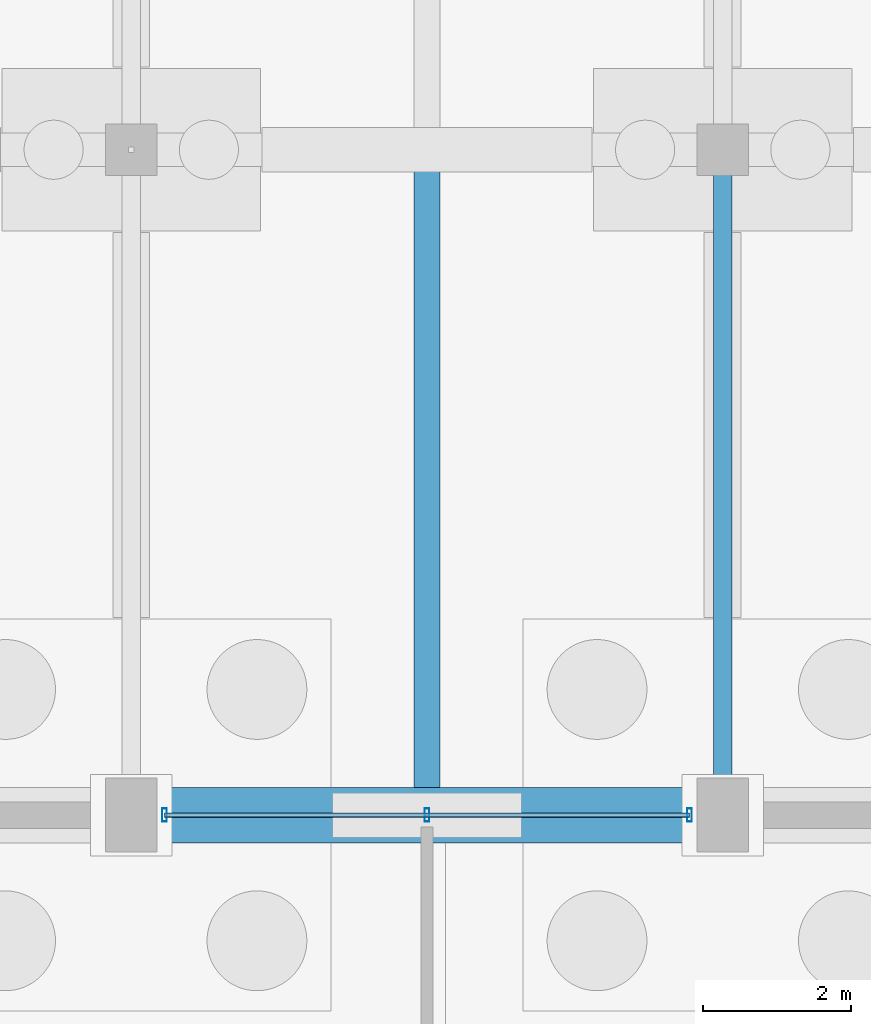
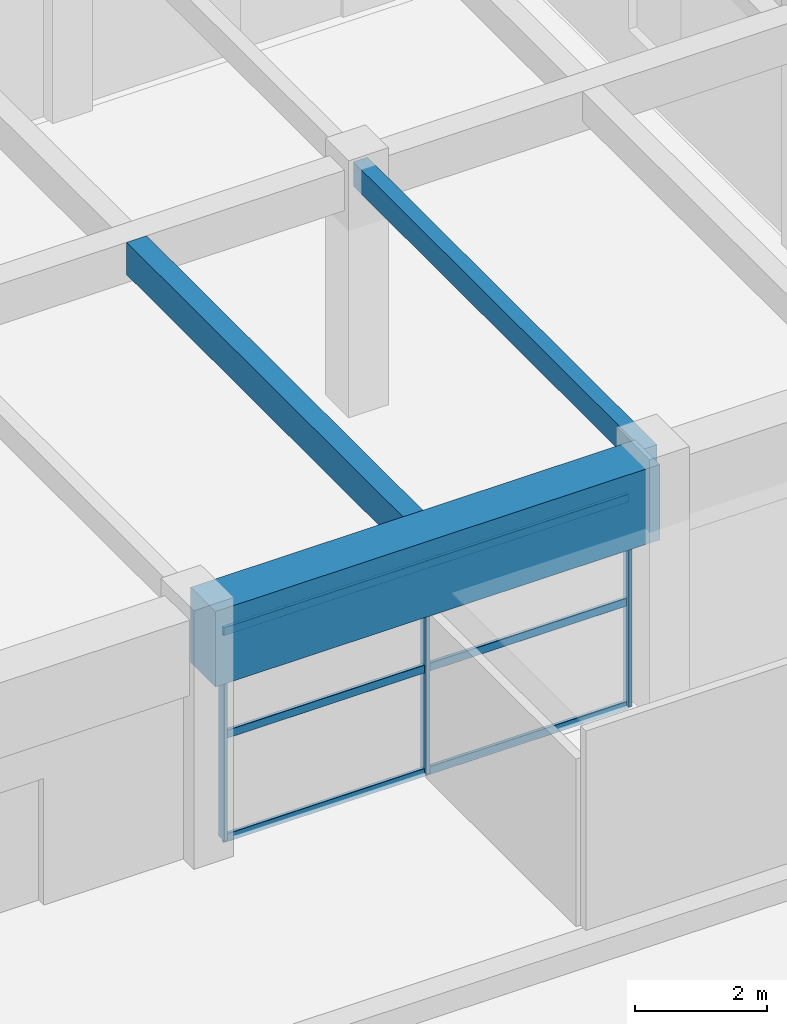
# One storey, part 89 of 147: 6 members, 3 beams, 1 element without a shape of its own.
"""IFC4 building model written with IfcOpenShell, lengths in metres."""

from ifc_helpers import new_model, si_unit, direction, frame, origin, origin_2d, place, context, subcontext, project, spatial, rectangle, hollow_rectangle, extrude, material, material_profile, profile_set, type_object, element, aggregate, save


model = new_model("IFC4")

# Units and contexts
model_context = context("Model", 3, precision=1e-05, world=origin(), true_north=direction((0.0, 1.0)))
body_context = subcontext(model_context, "Body", "Model", "MODEL_VIEW")
ifc_project = project(units=[si_unit("LENGTHUNIT", "METRE"), si_unit("AREAUNIT", "SQUARE_METRE"), si_unit("VOLUMEUNIT", "CUBIC_METRE"), si_unit("PLANEANGLEUNIT", "RADIAN"), si_unit("MASSUNIT", "GRAM", prefix="KILO")], contexts=[model_context])

# Site, building, storey
site_placement = place(None, origin())
site = spatial("IfcSite", under=ifc_project, at=site_placement, CompositionType="ELEMENT")
building_placement = place(site_placement, origin())
building = spatial("IfcBuilding", under=site, at=building_placement, Name="Varnabhumi Central Station", CompositionType="ELEMENT")
storey_placement = place(building_placement, origin())
storey = spatial("IfcBuildingStorey", under=building, at=storey_placement, Name="L00", CompositionType="ELEMENT", Elevation=0.0)

# Beams
ifc_material_1 = material(Name="Concrete M50", Category="concrete")
ifc_material_profile_1 = material_profile(ifc_material_1, rectangle(XDim=0.75, YDim=1.39990234375, at=origin_2d()), Name="Concrete M50", Category="concrete")
ifc_profile_set_1 = profile_set([ifc_material_profile_1], Name="Concrete M50")
beam_type_1 = type_object("IfcBeamType", Name="BM-RC-1400x750", PredefinedType="BEAM", material=ifc_profile_set_1)
beam_1_placement = place(storey_placement, frame((144.10009765625, 80.0, 3.85009765625), z_axis=(1.0, 0.0, 0.0), x_axis=(0.0, 1.0, 0.0)))
element("IfcBeam", 1, at=beam_1_placement, inside=storey, type_object=beam_type_1, Name="Beam L00-K:19-20", PredefinedType="BEAM", context=body_context, shape_type="SweptSolid", body=[
    extrude(rectangle(XDim=0.75, YDim=1.39990234375, at=origin_2d()), origin(), (0.0, 0.0, 1.0), 7.7998046875),
])
ifc_material_2 = material(Name="Concrete M35", Category="concrete")
ifc_material_profile_2 = material_profile(ifc_material_2, rectangle(XDim=0.25, YDim=0.449951171875, at=origin_2d()), Name="Concrete M35", Category="concrete")
ifc_profile_set_2 = profile_set([ifc_material_profile_2], Name="Concrete M35")
beam_type_2 = type_object("IfcBeamType", Name="BM-RC-250x450", PredefinedType="LINTEL", material=ifc_profile_set_2)
beam_2_placement = place(storey_placement, frame((152.0, 80.10009765625, 4.324951171875), z_axis=(0.0, 1.0, 0.0), x_axis=(-1.0, 0.0, 0.0)))
element("IfcBeam", 2, at=beam_2_placement, inside=storey, type_object=beam_type_2, Name="Beam L00-20:K-L", PredefinedType="LINTEL", context=body_context, shape_type="SweptSolid", body=[
    extrude(rectangle(XDim=0.25, YDim=0.449951171875, at=origin_2d()), origin(), (0.0, 0.0, 1.0), 8.7998046875),
])
ifc_material_3 = material(Name="Concrete M40", Category="concrete")
ifc_material_profile_3 = material_profile(ifc_material_3, rectangle(XDim=0.35009765625, YDim=0.60009765625, at=origin_2d()), Name="Concrete M40", Category="concrete")
ifc_profile_set_3 = profile_set([ifc_material_profile_3], Name="Concrete M40")
beam_type_3 = type_object("IfcBeamType", Name="BM-RC-600x350", PredefinedType="JOIST", material=ifc_profile_set_3)
beam_3_placement = place(storey_placement, frame((148.0, 80.375, 4.25), z_axis=(0.0, 1.0, 0.0), x_axis=(-1.0, 0.0, 0.0)))
element("IfcBeam", 3, at=beam_3_placement, inside=storey, type_object=beam_type_3, Name="Secondary Joist L00-19/20:K-L", PredefinedType="JOIST", context=body_context, shape_type="SweptSolid", body=[
    extrude(rectangle(XDim=0.35009765625, YDim=0.60009765625, at=origin_2d()), origin(), (0.0, 0.0, 1.0), 8.39990234375),
])

# Curtain wall, members
ifc_material_4 = material(Name="Anodised aluminium 6063-T6", Category="aluminium")
curtain_wall_type = type_object("IfcCurtainWallType", Name="CW-SPINE-SCREEN-L0", PredefinedType="NOTDEFINED", material=ifc_material_4)
curtain_wall_placement = place(storey_placement, origin())
curtain_wall = element("IfcCurtainWall", 4, at=curtain_wall_placement, inside=storey, type_object=curtain_wall_type, Name="Curtain Wall CW-NS018", PredefinedType="NOTDEFINED")
ifc_material_profile_4 = material_profile(ifc_material_4, hollow_rectangle(XDim=0.06494140625, YDim=0.179931640625, WallThickness=0.00390625, InnerFilletRadius=0.001953125, OuterFilletRadius=0.006103515625, at=origin_2d()), Name="Anodised aluminium 6063-T6", Category="aluminium")
ifc_profile_set_4 = profile_set([ifc_material_profile_4], Name="Anodised aluminium 6063-T6")
member_type_1 = type_object("IfcMemberType", Name="CW-MUL-180", PredefinedType="MULLION", material=ifc_profile_set_4)
member_1_placement = place(storey_placement, frame((144.449951171875, 80.0, 0.0), z_axis=(0.0, 0.0, 1.0), x_axis=(1.0, 0.0, 0.0)))
member_1 = element("IfcMember", 5, at=member_1_placement, type_object=member_type_1, Name="Curtain Wall Mullion CW-NS018-M1", PredefinedType="MULLION", context=body_context, shape_type="SweptSolid", body=[
    extrude(hollow_rectangle(XDim=0.06494140625, YDim=0.179931640625, WallThickness=0.00390625, InnerFilletRadius=0.001953125, OuterFilletRadius=0.006103515625, at=origin_2d()), origin(), (0.0, 0.0, 1.0), 3.840087890625),
])
member_2_placement = place(storey_placement, frame((148.0, 80.0, 0.0), z_axis=(0.0, 0.0, 1.0), x_axis=(1.0, 0.0, 0.0)))
member_2 = element("IfcMember", 6, at=member_2_placement, type_object=member_type_1, Name="Curtain Wall Mullion CW-NS018-M2", PredefinedType="MULLION", context=body_context, shape_type="SweptSolid", body=[
    extrude(hollow_rectangle(XDim=0.06494140625, YDim=0.179931640625, WallThickness=0.00390625, InnerFilletRadius=0.001953125, OuterFilletRadius=0.006103515625, at=origin_2d()), origin(), (0.0, 0.0, 1.0), 3.840087890625),
])
member_3_placement = place(storey_placement, frame((151.550048828125, 80.0, 0.0), z_axis=(0.0, 0.0, 1.0), x_axis=(1.0, 0.0, 0.0)))
member_3 = element("IfcMember", 7, at=member_3_placement, type_object=member_type_1, Name="Curtain Wall Mullion CW-NS018-M3", PredefinedType="MULLION", context=body_context, shape_type="SweptSolid", body=[
    extrude(hollow_rectangle(XDim=0.06494140625, YDim=0.179931640625, WallThickness=0.00390625, InnerFilletRadius=0.001953125, OuterFilletRadius=0.006103515625, at=origin_2d()), origin(), (0.0, 0.0, 1.0), 3.840087890625),
])
ifc_material_profile_5 = material_profile(ifc_material_4, hollow_rectangle(XDim=0.06005859375, YDim=0.14990234375, WallThickness=0.00390625, InnerFilletRadius=0.001953125, OuterFilletRadius=0.006103515625, at=origin_2d()), Name="Anodised aluminium 6063-T6", Category="aluminium")
ifc_profile_set_5 = profile_set([ifc_material_profile_5], Name="Anodised aluminium 6063-T6")
member_type_2 = type_object("IfcMemberType", Name="CW-TR-150", PredefinedType="USERDEFINED", material=ifc_profile_set_5)
member_4_placement = place(storey_placement, frame((144.449951171875, 80.0, 0.0), z_axis=(1.0, 0.0, 0.0), x_axis=(0.0, 1.0, 0.0)))
member_4 = element("IfcMember", 8, at=member_4_placement, type_object=member_type_2, Name="Curtain Wall Transom CW-NS018-T1", ObjectType="TRANSOM", PredefinedType="USERDEFINED", context=body_context, shape_type="SweptSolid", body=[
    extrude(hollow_rectangle(XDim=0.06005859375, YDim=0.14990234375, WallThickness=0.00390625, InnerFilletRadius=0.001953125, OuterFilletRadius=0.006103515625, at=origin_2d()), origin(), (0.0, 0.0, 1.0), 7.10009765625),
])
member_5_placement = place(storey_placement, frame((144.449951171875, 80.0, 1.919921875), z_axis=(1.0, 0.0, 0.0), x_axis=(0.0, 1.0, 0.0)))
member_5 = element("IfcMember", 9, at=member_5_placement, type_object=member_type_2, Name="Curtain Wall Transom CW-NS018-T2", ObjectType="TRANSOM", PredefinedType="USERDEFINED", context=body_context, shape_type="SweptSolid", body=[
    extrude(hollow_rectangle(XDim=0.06005859375, YDim=0.14990234375, WallThickness=0.00390625, InnerFilletRadius=0.001953125, OuterFilletRadius=0.006103515625, at=origin_2d()), origin(), (0.0, 0.0, 1.0), 7.10009765625),
])
member_6_placement = place(storey_placement, frame((144.449951171875, 80.0, 3.840087890625), z_axis=(1.0, 0.0, 0.0), x_axis=(0.0, 1.0, 0.0)))
member_6 = element("IfcMember", 10, at=member_6_placement, type_object=member_type_2, Name="Curtain Wall Transom CW-NS018-T3", ObjectType="TRANSOM", PredefinedType="USERDEFINED", context=body_context, shape_type="SweptSolid", body=[
    extrude(hollow_rectangle(XDim=0.06005859375, YDim=0.14990234375, WallThickness=0.00390625, InnerFilletRadius=0.001953125, OuterFilletRadius=0.006103515625, at=origin_2d()), origin(), (0.0, 0.0, 1.0), 7.10009765625),
])
aggregate(curtain_wall, [member_1, member_2, member_3, member_4, member_5, member_6])

save(model, "model.ifc")
